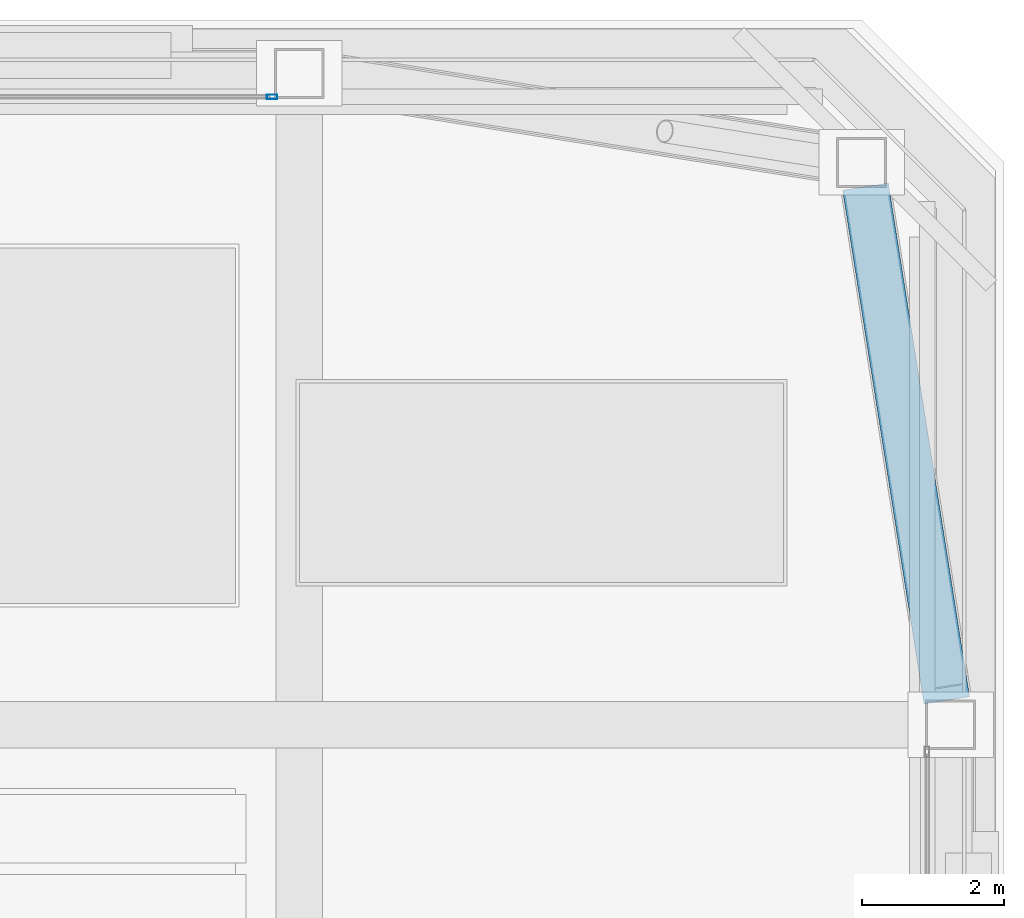
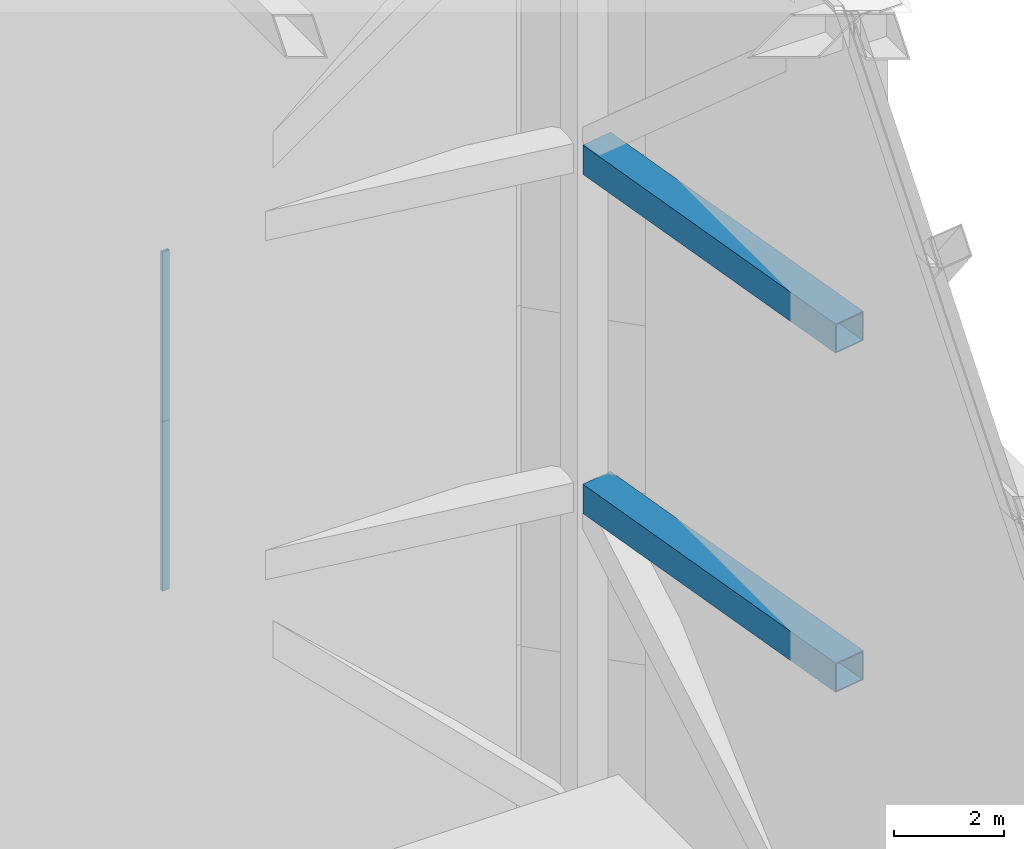
# One storey, part 23 of 28: 2 beams, 2 members, 2 elements without a shape of their own.
"""IFC4 building model written with IfcOpenShell, lengths in metres."""

from ifc_helpers import new_model, si_unit, direction, frame, origin, origin_2d, place, context, subcontext, project, spatial, hollow_rectangle, extrude, material, material_profile, profile_set, type_object, element, aggregate, save


model = new_model("IFC4")

# Units and contexts
model_context = context("Model", 3, precision=1e-05, world=origin(), true_north=direction((0.0, 1.0)))
body_context = subcontext(model_context, "Body", "Model", "MODEL_VIEW")
ifc_project = project(units=[si_unit("LENGTHUNIT", "METRE"), si_unit("AREAUNIT", "SQUARE_METRE"), si_unit("VOLUMEUNIT", "CUBIC_METRE"), si_unit("PLANEANGLEUNIT", "RADIAN"), si_unit("MASSUNIT", "GRAM", prefix="KILO")], contexts=[model_context])

# Site, building, storey
site_placement = place(None, origin())
site = spatial("IfcSite", under=ifc_project, at=site_placement, CompositionType="ELEMENT")
building_placement = place(site_placement, origin())
building = spatial("IfcBuilding", under=site, at=building_placement, Name="Tashvorn Skyway Center", CompositionType="ELEMENT")
storey_placement = place(building_placement, frame((0.0, 0.0, 277.60009765625)))
storey = spatial("IfcBuildingStorey", under=building, at=storey_placement, Name="Roof Level", CompositionType="ELEMENT", Elevation=277.60009765625)

# Beams
ifc_material_1 = material(Name="Steel ASTM A572 Grade 50", Category="steel")
ifc_material_profile_1 = material_profile(ifc_material_1, hollow_rectangle(XDim=0.64990234375, YDim=0.64990234375, WallThickness=0.02490234375, at=origin_2d()), Name="BOX650x650x25")
ifc_profile_set_1 = profile_set([ifc_material_profile_1], Name="Steel ASTM A572 Grade 50")
beam_type = type_object("IfcBeamType", Name="BM-BEAM-BOX650x650x25", PredefinedType="BEAM", material=ifc_profile_set_1)
for number, where, z_axis, x_axis, name in (
    (1, (56.49609375, 37.74072265625, 7.52978515625), (-0.156273060583, 0.987713891031, 0.0), (-0.987713891031, -0.156273060583, 0.0), "CROWN FRAME Tower 1 Lower-Tier Ring Beam 06"),
    (2, (56.49609375, 37.74072265625, 15.059814453125), (-0.156273060583, 0.987713891031, 0.0), (-0.987713891031, -0.156273060583, 0.0), "CROWN FRAME Tower 1 Upper-Tier Ring Beam 06"),
):
    element("IfcBeam", number, at=place(storey_placement, frame(where, z_axis=z_axis, x_axis=x_axis)), inside=storey, type_object=beam_type, Name=name, PredefinedType="BEAM", context=body_context, shape_type="SweptSolid", body=[
        extrude(hollow_rectangle(XDim=0.64990234375, YDim=0.64990234375, WallThickness=0.02490234375, at=origin_2d()), origin(), (0.0, 0.0, 1.0), 7.308349609375),
    ])

# Curtain wall, member
ifc_material_2 = material(Name="Thermally broken bronze-anodized aluminium 6063-T6", Category="aluminium")
curtain_wall_type = type_object("IfcCurtainWallType", Name="CW-CW-SKY", PredefinedType="NOTDEFINED", material=ifc_material_2)
curtain_wall_1_placement = place(storey_placement, origin())
curtain_wall_1 = element("IfcCurtainWall", 3, at=curtain_wall_1_placement, inside=storey, type_object=curtain_wall_type, Name="CROWN Lantern Fritted Curtain Wall T1 N-3", PredefinedType="NOTDEFINED")
ifc_material_profile_2 = material_profile(ifc_material_2, hollow_rectangle(XDim=0.06494140625, YDim=0.14990234375, WallThickness=0.00390625, at=origin_2d()), Name="ALU-MULL-65x150")
ifc_profile_set_2 = profile_set([ifc_material_profile_2], Name="Thermally broken bronze-anodized aluminium 6063-T6")
member_type = type_object("IfcMemberType", Name="CWM-CW-SKY", PredefinedType="MULLION", material=ifc_profile_set_2)
member_1_placement = place(storey_placement, frame((47.017578125, 46.219970703125, 7.52978515625), z_axis=(0.0, 0.0, 1.0), x_axis=(0.0, 1.0, 0.0)))
member_1 = element("IfcMember", 4, at=member_1_placement, type_object=member_type, Name="CW-SKY mullion 3", PredefinedType="MULLION", context=body_context, shape_type="SweptSolid", body=[
    extrude(hollow_rectangle(XDim=0.06494140625, YDim=0.14990234375, WallThickness=0.00390625, at=origin_2d()), origin(), (0.0, 0.0, 1.0), 3.76513671875),
])
aggregate(curtain_wall_1, [member_1])

curtain_wall_2_placement = place(storey_placement, origin())
curtain_wall_2 = element("IfcCurtainWall", 5, at=curtain_wall_2_placement, inside=storey, type_object=curtain_wall_type, Name="CROWN Lantern Fritted Curtain Wall T1 N-4", PredefinedType="NOTDEFINED")
member_2_placement = place(storey_placement, frame((47.017578125, 46.219970703125, 11.294921875), z_axis=(0.0, 0.0, 1.0), x_axis=(0.0, 1.0, 0.0)))
member_2 = element("IfcMember", 6, at=member_2_placement, type_object=member_type, Name="CW-SKY mullion 3", PredefinedType="MULLION", context=body_context, shape_type="SweptSolid", body=[
    extrude(hollow_rectangle(XDim=0.06494140625, YDim=0.14990234375, WallThickness=0.00390625, at=origin_2d()), origin(), (0.0, 0.0, 1.0), 3.764892578125),
])
aggregate(curtain_wall_2, [member_2])

save(model, "model.ifc")
